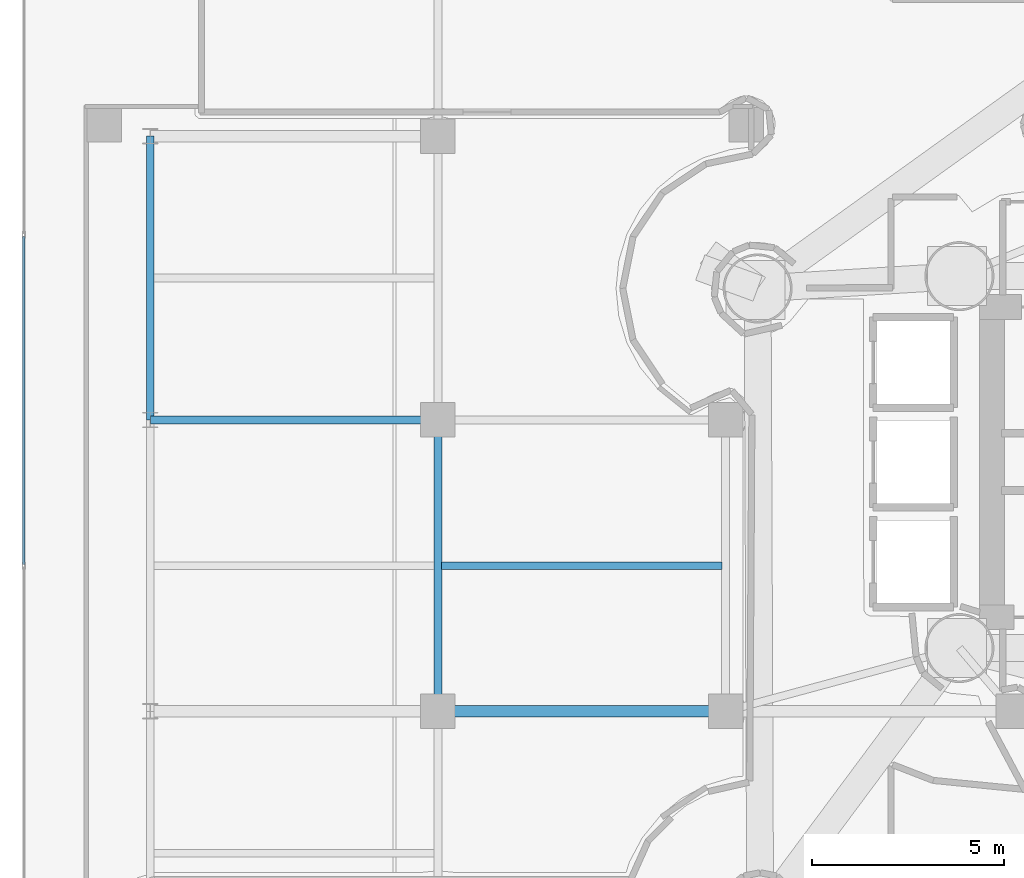
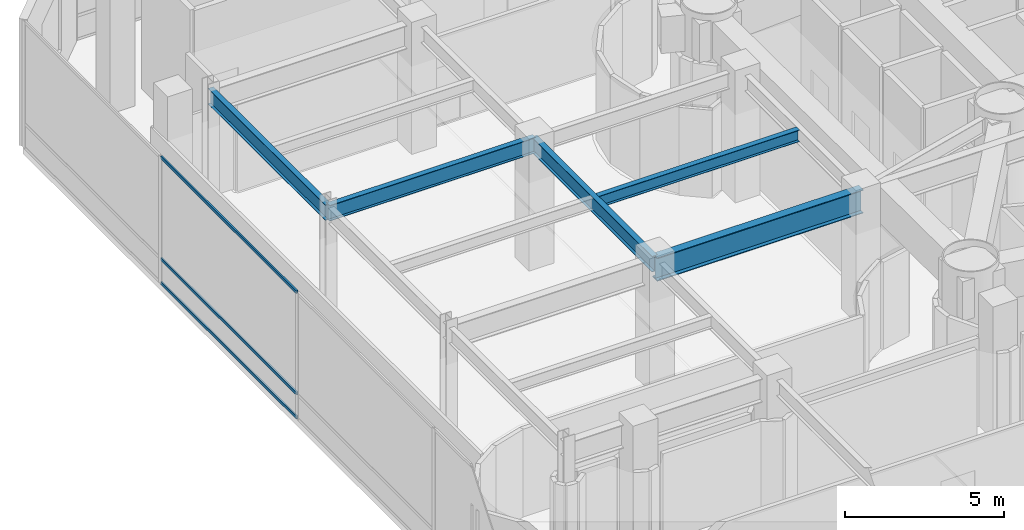
# One storey, part 10 of 40: 5 beams, 3 members, 1 element without a shape of its own.
"""IFC4 building model written with IfcOpenShell, lengths in metres."""

from ifc_helpers import new_model, si_unit, direction, frame, origin, origin_2d, place, context, subcontext, project, spatial, hollow_rectangle, i_section, extrude, material, layer, layer_set, material_profile, profile_set, type_object, element, aggregate, save


model = new_model("IFC4")

# Units and contexts
model_context = context("Model", 3, precision=1e-05, world=origin(), true_north=direction((0.0, 1.0)))
body_context = subcontext(model_context, "Body", "Model", "MODEL_VIEW")
ifc_project = project(units=[si_unit("LENGTHUNIT", "METRE"), si_unit("AREAUNIT", "SQUARE_METRE"), si_unit("VOLUMEUNIT", "CUBIC_METRE"), si_unit("PLANEANGLEUNIT", "RADIAN"), si_unit("MASSUNIT", "GRAM", prefix="KILO")], contexts=[model_context])

# Site, building, storey
site_placement = place(None, origin())
site = spatial("IfcSite", under=ifc_project, at=site_placement, CompositionType="ELEMENT")
building_placement = place(site_placement, origin())
building = spatial("IfcBuilding", under=site, at=building_placement, Name="Qianvela Tower", CompositionType="ELEMENT")
storey_placement = place(building_placement, frame((0.0, 0.0, 20.60009765625)))
storey = spatial("IfcBuildingStorey", under=building, at=storey_placement, Name="L04", CompositionType="ELEMENT", Elevation=20.60009765625)

# Beams
ifc_material_1 = material(Name="Steel Q355B", Category="steel")
ifc_material_profile_1 = material_profile(ifc_material_1, i_section(OverallWidth=0.199951171875, OverallDepth=0.449951171875, WebThickness=0.009033203125, FlangeThickness=0.013916015625, at=origin_2d()), Name="HN450x200x9x14")
ifc_profile_set_1 = profile_set([ifc_material_profile_1], Name="Steel Q355B")
beam_type_1 = type_object("IfcBeamType", Name="BM-HN450-JOIST", PredefinedType="JOIST", material=ifc_profile_set_1)
beam_1_placement = place(storey_placement, frame((15.095947265625, 26.0, 4.572998046875), z_axis=(1.0, 0.0, 0.0), x_axis=(0.0, 1.0, 0.0)))
element("IfcBeam", 1, at=beam_1_placement, inside=storey, type_object=beam_type_1, Name="L04 Secondary Floor Joist 47", PredefinedType="JOIST", context=body_context, shape_type="SweptSolid", body=[
    extrude(i_section(OverallWidth=0.199951171875, OverallDepth=0.449951171875, WebThickness=0.009033203125, FlangeThickness=0.013916015625, at=origin_2d()), origin(), (0.0, 0.0, 1.0), 7.30810546875),
])
ifc_material_2 = material(Name="Steel Q355B", Category="steel")
ifc_material_profile_2 = material_profile(ifc_material_2, i_section(OverallWidth=0.199951171875, OverallDepth=0.60009765625, WebThickness=0.010986328125, FlangeThickness=0.01708984375, at=origin_2d()), Name="HN600x200x11x17")
ifc_profile_set_2 = profile_set([ifc_material_profile_2], Name="Steel Q355B")
beam_type_2 = type_object("IfcBeamType", Name="BM-HN600-GIRD", PredefinedType="BEAM", material=ifc_profile_set_2)
beam_2_placement = place(storey_placement, frame((7.5, 29.800048828125, 4.497802734375), z_axis=(1.0, 0.0, 0.0), x_axis=(0.0, 1.0, 0.0)))
element("IfcBeam", 2, at=beam_2_placement, inside=storey, type_object=beam_type_2, Name="L04 East-West Grid Girder 10", PredefinedType="BEAM", context=body_context, shape_type="SweptSolid", body=[
    extrude(i_section(OverallWidth=0.199951171875, OverallDepth=0.60009765625, WebThickness=0.010986328125, FlangeThickness=0.01708984375, at=origin_2d()), origin(), (0.0, 0.0, 1.0), 7.5),
])
beam_3_placement = place(storey_placement, frame((7.5, 29.800048828125, 4.497802734375), z_axis=(0.0, 1.0, 0.0), x_axis=(-1.0, 0.0, 0.0)))
element("IfcBeam", 3, at=beam_3_placement, inside=storey, type_object=beam_type_2, Name="L04 North-South Grid Girder 19", PredefinedType="BEAM", context=body_context, shape_type="SweptSolid", body=[
    extrude(i_section(OverallWidth=0.199951171875, OverallDepth=0.60009765625, WebThickness=0.010986328125, FlangeThickness=0.01708984375, at=origin_2d()), origin(), (0.0, 0.0, 1.0), 7.39990234375),
])
beam_4_placement = place(storey_placement, frame((15.0, 22.199951171875, 4.497802734375), z_axis=(0.0, 1.0, 0.0), x_axis=(-1.0, 0.0, 0.0)))
element("IfcBeam", 4, at=beam_4_placement, inside=storey, type_object=beam_type_2, Name="L04 North-South Grid Girder 22", PredefinedType="BEAM", context=body_context, shape_type="SweptSolid", body=[
    extrude(i_section(OverallWidth=0.199951171875, OverallDepth=0.60009765625, WebThickness=0.010986328125, FlangeThickness=0.01708984375, at=origin_2d()), origin(), (0.0, 0.0, 1.0), 7.60009765625),
])
ifc_material_3 = material(Name="Steel Q355B", Category="steel")
ifc_material_profile_3 = material_profile(ifc_material_3, i_section(OverallWidth=0.300048828125, OverallDepth=0.89990234375, WebThickness=0.01611328125, FlangeThickness=0.028076171875, at=origin_2d()), Name="HN900x300x16x28")
ifc_profile_set_3 = profile_set([ifc_material_profile_3], Name="Steel Q355B")
beam_type_3 = type_object("IfcBeamType", Name="BM-HN900-SPAND", PredefinedType="SPANDREL", material=ifc_profile_set_3)
beam_5_placement = place(storey_placement, frame((15.0, 22.199951171875, 4.347900390625), z_axis=(1.0, 0.0, 0.0), x_axis=(0.0, 1.0, 0.0)))
element("IfcBeam", 5, at=beam_5_placement, inside=storey, type_object=beam_type_3, Name="L04 East-West Grid Girder 4", PredefinedType="SPANDREL", context=body_context, shape_type="SweptSolid", body=[
    extrude(i_section(OverallWidth=0.300048828125, OverallDepth=0.89990234375, WebThickness=0.01611328125, FlangeThickness=0.028076171875, at=origin_2d()), origin(), (0.0, 0.0, 1.0), 7.5),
])

# Curtain wall, members
ifc_material_4 = material(Name="Anodised Architectural Aluminium and Low-E Glass", Category="aluminium")
ifc_layer = layer(ifc_material_4, 0.179931640625)
ifc_layer_set = layer_set([ifc_layer], Name="Anodised Architectural Aluminium and Low-E Glass")
curtain_wall_type = type_object("IfcCurtainWallType", Name="CW-COMMONS", PredefinedType="USERDEFINED", material=ifc_layer_set)
curtain_wall_placement = place(storey_placement, origin())
curtain_wall = element("IfcCurtainWall", 6, at=curtain_wall_placement, inside=storey, type_object=curtain_wall_type, Name="L04 CW-COMMONS Curtain Wall 07", ObjectType="CURTAIN_WALL_SYSTEM", PredefinedType="USERDEFINED")
ifc_material_5 = material(Name="Anodised Architectural Aluminium 6063-T6", Category="aluminium")
ifc_material_profile_4 = material_profile(ifc_material_5, hollow_rectangle(XDim=0.06005859375, YDim=0.114990234375, WallThickness=0.00390625, at=origin_2d()), Name="ALU-TRAN-60x115")
ifc_profile_set_4 = profile_set([ifc_material_profile_4], Name="Anodised Architectural Aluminium 6063-T6")
member_type = type_object("IfcMemberType", Name="CW-COMMONS-TRAN", PredefinedType="USERDEFINED", material=ifc_profile_set_4)
member_1_placement = place(storey_placement, frame((4.199951171875, 34.590087890625, 0.02978515625), z_axis=(0.0, -1.0, 0.0), x_axis=(1.0, 0.0, 0.0)))
member_1 = element("IfcMember", 7, at=member_1_placement, type_object=member_type, Name="CW-2 transom 2.1", ObjectType="TRANSOM", PredefinedType="USERDEFINED", context=body_context, shape_type="SweptSolid", body=[
    extrude(hollow_rectangle(XDim=0.06005859375, YDim=0.114990234375, WallThickness=0.00390625, at=origin_2d()), origin(), (0.0, 0.0, 1.0), 8.55517578125),
])
member_2_placement = place(storey_placement, frame((4.199951171875, 34.590087890625, 0.949951171875), z_axis=(0.0, -1.0, 0.0), x_axis=(1.0, 0.0, 0.0)))
member_2 = element("IfcMember", 8, at=member_2_placement, type_object=member_type, Name="CW-2 transom 2.2", ObjectType="TRANSOM", PredefinedType="USERDEFINED", context=body_context, shape_type="SweptSolid", body=[
    extrude(hollow_rectangle(XDim=0.06005859375, YDim=0.114990234375, WallThickness=0.00390625, at=origin_2d()), origin(), (0.0, 0.0, 1.0), 8.55517578125),
])
member_3_placement = place(storey_placement, frame((4.199951171875, 34.590087890625, 4.849853515625), z_axis=(0.0, -1.0, 0.0), x_axis=(1.0, 0.0, 0.0)))
member_3 = element("IfcMember", 9, at=member_3_placement, type_object=member_type, Name="CW-2 transom 2.3", ObjectType="TRANSOM", PredefinedType="USERDEFINED", context=body_context, shape_type="SweptSolid", body=[
    extrude(hollow_rectangle(XDim=0.06005859375, YDim=0.114990234375, WallThickness=0.00390625, at=origin_2d()), origin(), (0.0, 0.0, 1.0), 8.55517578125),
])
aggregate(curtain_wall, [member_1, member_2, member_3])

save(model, "model.ifc")
